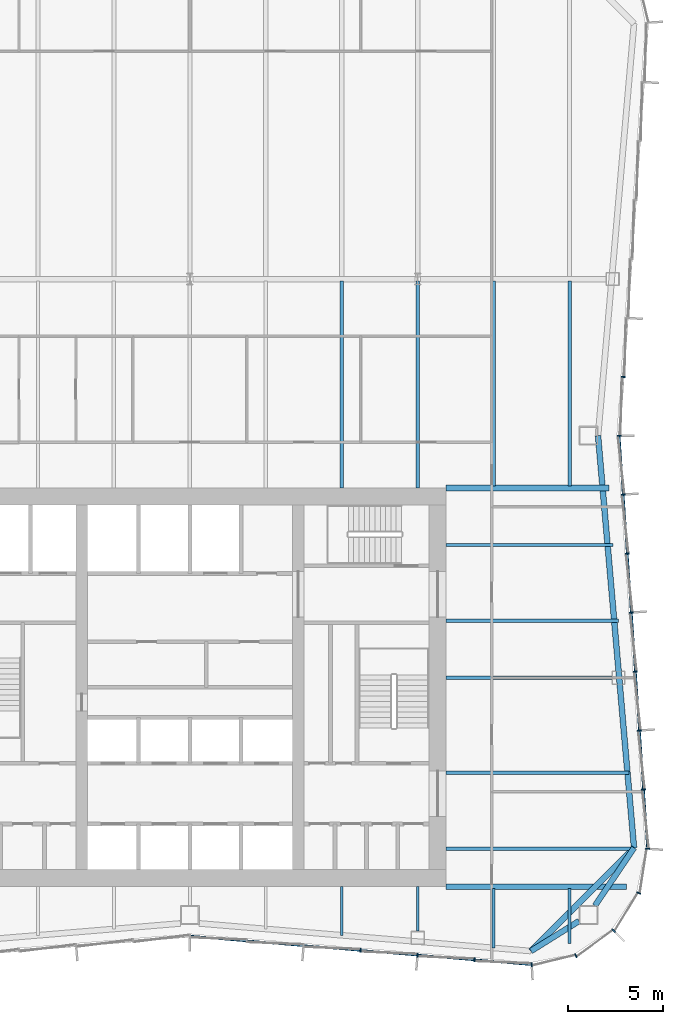
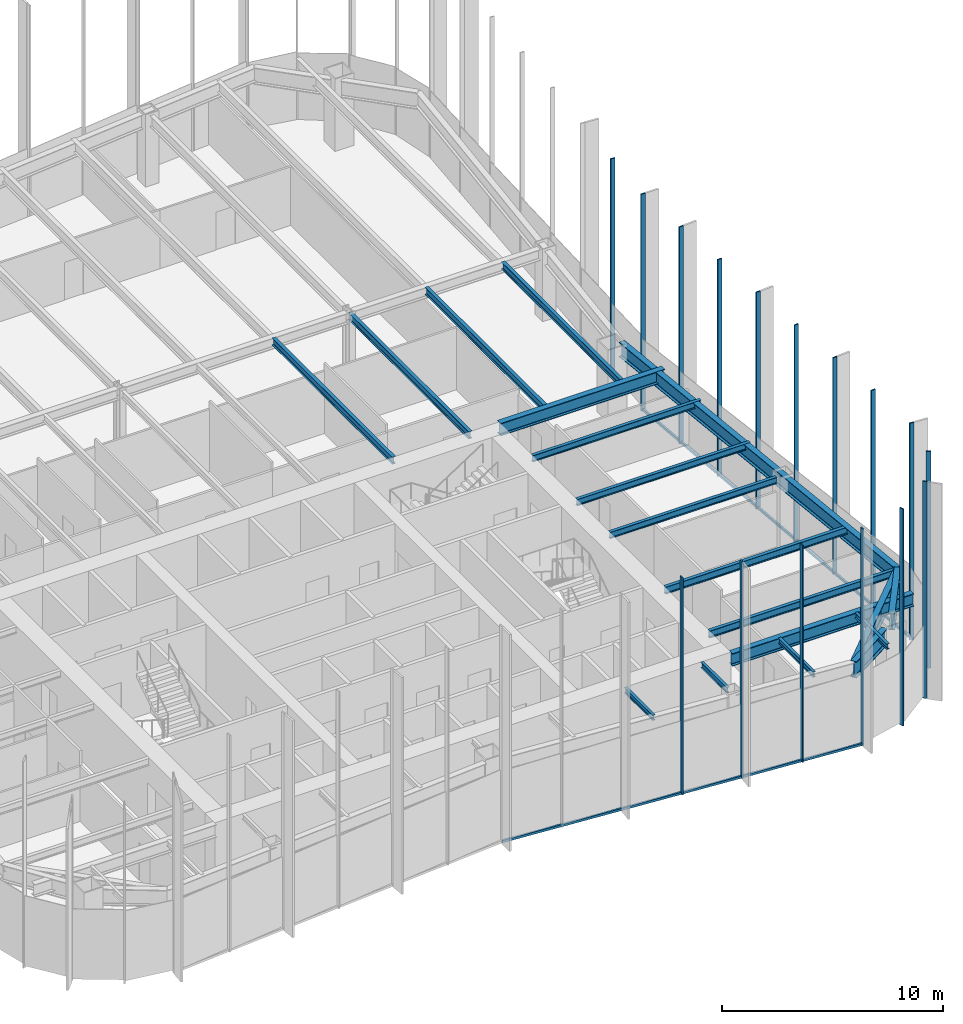
# One storey, part 4 of 13: 19 beams, 18 members, 3 elements without a shape of their own.
"""IFC4 building model written with IfcOpenShell, lengths in metres."""

from ifc_helpers import new_model, si_unit, direction, frame, origin, origin_2d, place, context, subcontext, project, spatial, rectangle, i_section, extrude, material, material_profile, profile_set, type_object, element, aggregate, save


model = new_model("IFC4")

# Units and contexts
model_context = context("Model", 3, precision=1e-05, world=origin(), true_north=direction((0.0, 1.0)))
body_context = subcontext(model_context, "Body", "Model", "MODEL_VIEW")
ifc_project = project(units=[si_unit("LENGTHUNIT", "METRE"), si_unit("AREAUNIT", "SQUARE_METRE"), si_unit("VOLUMEUNIT", "CUBIC_METRE"), si_unit("PLANEANGLEUNIT", "RADIAN"), si_unit("MASSUNIT", "GRAM", prefix="KILO")], contexts=[model_context])

# Site, building, storey
site_placement = place(None, origin())
site = spatial("IfcSite", under=ifc_project, at=site_placement, CompositionType="ELEMENT")
building_placement = place(site_placement, origin())
building = spatial("IfcBuilding", under=site, at=building_placement, Name="Verdant Reach Tower", CompositionType="ELEMENT")
storey_placement = place(building_placement, frame((0.0, 0.0, 194.0)))
storey = spatial("IfcBuildingStorey", under=building, at=storey_placement, Name="L44", CompositionType="ELEMENT", Elevation=194.0)

# Curtain wall, members
ifc_material_1 = material(Name="Anodised aluminium", Category="aluminium")
curtain_wall_type = type_object("IfcCurtainWallType", Name="EN-CW SYSTEM Z3", PredefinedType="NOTDEFINED", material=ifc_material_1)
curtain_wall_1_placement = place(storey_placement, origin())
curtain_wall_1 = element("IfcCurtainWall", 1, at=curtain_wall_1_placement, inside=storey, type_object=curtain_wall_type, Name="Curtain wall south-east corner, L44", PredefinedType="NOTDEFINED")
ifc_material_profile_1 = material_profile(ifc_material_1, rectangle(XDim=0.218017578125, YDim=0.06591796875, at=origin_2d()), Name="Mullion 66x218")
ifc_profile_set_1 = profile_set([ifc_material_profile_1], Name="Anodised aluminium")
member_type_1 = type_object("IfcMemberType", Name="EN-MULLION Z3", PredefinedType="MULLION", material=ifc_profile_set_1)
member_1_placement = place(storey_placement, frame((18.006103515625, 13.39111328125, -0.35009765625), z_axis=(0.0, 0.0, 1.0), x_axis=(0.056569187765, -0.998398681387, 0.0)))
member_1 = element("IfcMember", 2, at=member_1_placement, type_object=member_type_1, Name="Mullion south-east corner 1, L44", PredefinedType="MULLION", context=body_context, shape_type="SweptSolid", body=[
    extrude(rectangle(XDim=0.218017578125, YDim=0.06591796875, at=origin_2d()), origin(), (0.0, 0.0, 1.0), 12.0),
])
member_2_placement = place(storey_placement, frame((20.337890625, 13.85595703125, -0.35009765625), z_axis=(0.0, 0.0, 1.0), x_axis=(0.382693853776, -0.923875215753, 0.0)))
member_2 = element("IfcMember", 3, at=member_2_placement, type_object=member_type_1, Name="Mullion south-east corner 2, L44", PredefinedType="MULLION", context=body_context, shape_type="SweptSolid", body=[
    extrude(rectangle(XDim=0.218017578125, YDim=0.06591796875, at=origin_2d()), origin(), (0.0, 0.0, 1.0), 12.0),
])
member_3_placement = place(storey_placement, frame((22.319580078125, 15.180419921875, -0.35009765625), z_axis=(0.0, 0.0, 1.0), x_axis=(0.707106781187, -0.707106781187, 0.0)))
member_3 = element("IfcMember", 4, at=member_3_placement, type_object=member_type_1, Name="Mullion south-east corner 3, L44", PredefinedType="MULLION", context=body_context, shape_type="SweptSolid", body=[
    extrude(rectangle(XDim=0.218017578125, YDim=0.06591796875, at=origin_2d()), origin(), (0.0, 0.0, 1.0), 12.0),
])
member_4_placement = place(storey_placement, frame((23.64404296875, 17.162109375, -0.35009765625), z_axis=(0.0, 0.0, 1.0), x_axis=(0.923875215753, -0.382693853776, 0.0)))
member_4 = element("IfcMember", 5, at=member_4_placement, type_object=member_type_1, Name="Mullion south-east corner 4, L44", PredefinedType="MULLION", context=body_context, shape_type="SweptSolid", body=[
    extrude(rectangle(XDim=0.218017578125, YDim=0.06591796875, at=origin_2d()), origin(), (0.0, 0.0, 1.0), 12.0),
])
aggregate(curtain_wall_1, [member_1, member_2, member_3, member_4])

curtain_wall_2_placement = place(storey_placement, origin())
curtain_wall_2 = element("IfcCurtainWall", 6, at=curtain_wall_2_placement, inside=storey, type_object=curtain_wall_type, Name="Curtain wall east, L44", PredefinedType="NOTDEFINED")
member_5_placement = place(storey_placement, frame((24.10888671875, 19.4931640625, -0.35009765625), z_axis=(0.0, 0.0, 1.0), x_axis=(0.997969180898, -0.063698618332, 0.0)))
member_5 = element("IfcMember", 7, at=member_5_placement, type_object=member_type_1, Name="Mullion east face part 1 1, L44", PredefinedType="MULLION", context=body_context, shape_type="SweptSolid", body=[
    extrude(rectangle(XDim=0.218017578125, YDim=0.06591796875, at=origin_2d()), origin(), (0.0, 0.0, 1.0), 12.0),
])
member_6_placement = place(storey_placement, frame((23.89453125, 22.61474609375, -0.35009765625), z_axis=(0.0, 0.0, 1.0), x_axis=(0.997630328423, 0.068802091615, 0.0)))
member_6 = element("IfcMember", 8, at=member_6_placement, type_object=member_type_1, Name="Mullion east face part 1 2, L44", PredefinedType="MULLION", context=body_context, shape_type="SweptSolid", body=[
    extrude(rectangle(XDim=0.218017578125, YDim=0.06591796875, at=origin_2d()), origin(), (0.0, 0.0, 1.0), 12.0),
])
member_7_placement = place(storey_placement, frame((23.68017578125, 25.7216796875, -0.35009765625), z_axis=(0.0, 0.0, 1.0), x_axis=(0.997630328423, 0.068802091615, 0.0)))
member_7 = element("IfcMember", 9, at=member_7_placement, type_object=member_type_1, Name="Mullion east face part 1 3, L44", PredefinedType="MULLION", context=body_context, shape_type="SweptSolid", body=[
    extrude(rectangle(XDim=0.218017578125, YDim=0.06591796875, at=origin_2d()), origin(), (0.0, 0.0, 1.0), 12.0),
])
member_8_placement = place(storey_placement, frame((23.4658203125, 28.828857421875, -0.35009765625), z_axis=(0.0, 0.0, 1.0), x_axis=(0.997630328423, 0.068802091615, 0.0)))
member_8 = element("IfcMember", 10, at=member_8_placement, type_object=member_type_1, Name="Mullion east face part 1 4, L44", PredefinedType="MULLION", context=body_context, shape_type="SweptSolid", body=[
    extrude(rectangle(XDim=0.218017578125, YDim=0.06591796875, at=origin_2d()), origin(), (0.0, 0.0, 1.0), 12.0),
])
member_9_placement = place(storey_placement, frame((23.251708984375, 31.93603515625, -0.35009765625), z_axis=(0.0, 0.0, 1.0), x_axis=(0.997630328423, 0.068802091615, 0.0)))
member_9 = element("IfcMember", 11, at=member_9_placement, type_object=member_type_1, Name="Mullion east face part 1 5, L44", PredefinedType="MULLION", context=body_context, shape_type="SweptSolid", body=[
    extrude(rectangle(XDim=0.218017578125, YDim=0.06591796875, at=origin_2d()), origin(), (0.0, 0.0, 1.0), 12.0),
])
member_10_placement = place(storey_placement, frame((23.037353515625, 35.043212890625, -0.35009765625), z_axis=(0.0, 0.0, 1.0), x_axis=(0.997630328423, 0.068802091615, 0.0)))
member_10 = element("IfcMember", 12, at=member_10_placement, type_object=member_type_1, Name="Mullion east face part 1 6, L44", PredefinedType="MULLION", context=body_context, shape_type="SweptSolid", body=[
    extrude(rectangle(XDim=0.218017578125, YDim=0.06591796875, at=origin_2d()), origin(), (0.0, 0.0, 1.0), 12.0),
])
member_11_placement = place(storey_placement, frame((22.822998046875, 38.150390625, -0.35009765625), z_axis=(0.0, 0.0, 1.0), x_axis=(0.997630328423, 0.068802091615, 0.0)))
member_11 = element("IfcMember", 13, at=member_11_placement, type_object=member_type_1, Name="Mullion east face part 1 7, L44", PredefinedType="MULLION", context=body_context, shape_type="SweptSolid", body=[
    extrude(rectangle(XDim=0.218017578125, YDim=0.06591796875, at=origin_2d()), origin(), (0.0, 0.0, 1.0), 12.0),
])
member_12_placement = place(storey_placement, frame((22.60888671875, 41.25, -0.35009765625), z_axis=(0.0, 0.0, 1.0), x_axis=(1.0, 0.0, 0.0)))
member_12 = element("IfcMember", 14, at=member_12_placement, type_object=member_type_1, Name="Mullion east face part 2 1, L44", PredefinedType="MULLION", context=body_context, shape_type="SweptSolid", body=[
    extrude(rectangle(XDim=0.218017578125, YDim=0.06591796875, at=origin_2d()), origin(), (0.0, 0.0, 1.0), 12.0),
])
member_13_placement = place(storey_placement, frame((22.822998046875, 44.349609375, -0.35009765625), z_axis=(0.0, 0.0, 1.0), x_axis=(0.997630328423, -0.068802091615, 0.0)))
member_13 = element("IfcMember", 15, at=member_13_placement, type_object=member_type_1, Name="Mullion east face part 2 2, L44", PredefinedType="MULLION", context=body_context, shape_type="SweptSolid", body=[
    extrude(rectangle(XDim=0.218017578125, YDim=0.06591796875, at=origin_2d()), origin(), (0.0, 0.0, 1.0), 12.0),
])

curtain_wall_3_placement = place(storey_placement, origin())
curtain_wall_3 = element("IfcCurtainWall", 16, at=curtain_wall_3_placement, inside=storey, type_object=curtain_wall_type, Name="Curtain wall south, L44", PredefinedType="NOTDEFINED")
member_14_placement = place(storey_placement, frame((8.990966796875, 14.141357421875, -0.35009765625), z_axis=(0.0, 0.0, 1.0), x_axis=(-0.083045479859, -0.996545758244, 0.0)))
member_14 = element("IfcMember", 17, at=member_14_placement, type_object=member_type_1, Name="Mullion south face part 2 4, L44", PredefinedType="MULLION", context=body_context, shape_type="SweptSolid", body=[
    extrude(rectangle(XDim=0.218017578125, YDim=0.06591796875, at=origin_2d()), origin(), (0.0, 0.0, 1.0), 12.0),
])
member_15_placement = place(storey_placement, frame((11.990966796875, 13.891357421875, -0.35009765625), z_axis=(0.0, 0.0, 1.0), x_axis=(-0.083045479859, -0.996545758244, 0.0)))
member_15 = element("IfcMember", 18, at=member_15_placement, type_object=member_type_1, Name="Mullion south face part 2 5, L44", PredefinedType="MULLION", context=body_context, shape_type="SweptSolid", body=[
    extrude(rectangle(XDim=0.218017578125, YDim=0.06591796875, at=origin_2d()), origin(), (0.0, 0.0, 1.0), 12.0),
])
member_16_placement = place(storey_placement, frame((14.990966796875, 13.641357421875, -0.35009765625), z_axis=(0.0, 0.0, 1.0), x_axis=(-0.083045479859, -0.996545758244, 0.0)))
member_16 = element("IfcMember", 19, at=member_16_placement, type_object=member_type_1, Name="Mullion south face part 2 6, L44", PredefinedType="MULLION", context=body_context, shape_type="SweptSolid", body=[
    extrude(rectangle(XDim=0.218017578125, YDim=0.06591796875, at=origin_2d()), origin(), (0.0, 0.0, 1.0), 12.0),
])

# Member
ifc_material_profile_2 = material_profile(ifc_material_1, rectangle(XDim=0.10009765625, YDim=0.1259765625, at=origin_2d()), Name="Transom 126x100")
ifc_profile_set_2 = profile_set([ifc_material_profile_2], Name="Anodised aluminium")
member_type_2 = type_object("IfcMemberType", Name="EN-TRANSOM Z3", PredefinedType="USERDEFINED", material=ifc_profile_set_2)
member_17_placement = place(storey_placement, frame((24.1064453125, 19.52587890625, -0.287109375), z_axis=(-0.068764326054, 0.997632932226, 0.0), x_axis=(-0.997632932226, -0.068764326054, 0.0)))
member_17 = element("IfcMember", 20, at=member_17_placement, type_object=member_type_2, Name="Transom east face part 1 1.1, L44", ObjectType="TRANSOM", PredefinedType="USERDEFINED", context=body_context, shape_type="SweptSolid", body=[
    extrude(rectangle(XDim=0.10009765625, YDim=0.1259765625, at=origin_2d()), origin(), (0.0, 0.0, 1.0), 21.74267578125),
])

aggregate(curtain_wall_2, [member_5, member_6, member_7, member_8, member_9, member_10, member_11, member_17, member_12, member_13])

member_18_placement = place(storey_placement, frame((0.032958984375, 14.88818359375, -0.287109375), z_axis=(0.996548750467, -0.083009565369, 0.0), x_axis=(0.083009565369, 0.996548750467, 0.0)))
member_18 = element("IfcMember", 21, at=member_18_placement, type_object=member_type_2, Name="Transom south face part 2 1.1, L44", ObjectType="TRANSOM", PredefinedType="USERDEFINED", context=body_context, shape_type="SweptSolid", body=[
    extrude(rectangle(XDim=0.10009765625, YDim=0.1259765625, at=origin_2d()), origin(), (0.0, 0.0, 1.0), 18.00244140625),
])

aggregate(curtain_wall_3, [member_14, member_15, member_16, member_18])

# Beams
ifc_material_2 = material(Name="Steel S355", Category="steel")
ifc_material_profile_3 = material_profile(ifc_material_2, i_section(OverallWidth=0.300048828125, OverallDepth=0.699951171875, WebThickness=0.01708984375, FlangeThickness=0.031982421875, FilletRadius=0.027099609375, at=origin_2d()), Name="HEB 700")
ifc_profile_set_3 = profile_set([ifc_material_profile_3], Name="Steel S355")
beam_type_1 = type_object("IfcBeamType", Name="ST-BEAM-HEB700", PredefinedType="BEAM", material=ifc_profile_set_3)
beam_1_placement = place(storey_placement, frame((13.5, 38.5, 3.52001953125), z_axis=(1.0, 0.0, 0.0), x_axis=(0.0, 1.0, 0.0)))
element("IfcBeam", 22, at=beam_1_placement, inside=storey, type_object=beam_type_1, Name="Trimmer beam, L44", PredefinedType="BEAM", context=body_context, shape_type="SweptSolid", body=[
    extrude(i_section(OverallWidth=0.300048828125, OverallDepth=0.699951171875, WebThickness=0.01708984375, FlangeThickness=0.031982421875, FilletRadius=0.027099609375, at=origin_2d()), origin(), (0.0, 0.0, 1.0), 8.588134765625),
])
beam_2_placement = place(storey_placement, frame((13.5, 17.5, 3.52001953125), z_axis=(1.0, 0.0, 0.0), x_axis=(0.0, 1.0, 0.0)))
element("IfcBeam", 23, at=beam_2_placement, inside=storey, type_object=beam_type_1, Name="Trimmer beam, L44", PredefinedType="BEAM", context=body_context, shape_type="SweptSolid", body=[
    extrude(i_section(OverallWidth=0.300048828125, OverallDepth=0.699951171875, WebThickness=0.01708984375, FlangeThickness=0.031982421875, FilletRadius=0.027099609375, at=origin_2d()), origin(), (0.0, 0.0, 1.0), 9.490478515625),
])
ifc_material_profile_4 = material_profile(ifc_material_2, i_section(OverallWidth=0.302001953125, OverallDepth=0.909912109375, WebThickness=0.02099609375, FlangeThickness=0.0400390625, FilletRadius=0.030029296875, at=origin_2d()), Name="HEM 900")
ifc_profile_set_4 = profile_set([ifc_material_profile_4], Name="Steel S355")
beam_type_2 = type_object("IfcBeamType", Name="ST-BEAM-HEM900", PredefinedType="BEAM", material=ifc_profile_set_4)
beam_3_placement = place(storey_placement, frame((20.5, 15.687744140625, 3.4150390625), z_axis=(-0.848163521635, -0.529734500073, 0.0), x_axis=(0.529734500073, -0.848163521635, 0.0)))
element("IfcBeam", 24, at=beam_3_placement, inside=storey, type_object=beam_type_2, Name="Column stub beam, L44", PredefinedType="BEAM", context=body_context, shape_type="SweptSolid", body=[
    extrude(i_section(OverallWidth=0.302001953125, OverallDepth=0.909912109375, WebThickness=0.02099609375, FlangeThickness=0.0400390625, FilletRadius=0.030029296875, at=origin_2d()), origin(), (0.0, 0.0, 1.0), 2.98779296875),
])
beam_4_placement = place(storey_placement, frame((21.33837890625, 16.5, 3.4150390625), z_axis=(0.560703975309, 0.828016335631, 0.0), x_axis=(-0.828016335631, 0.560703975309, 0.0)))
element("IfcBeam", 25, at=beam_4_placement, inside=storey, type_object=beam_type_2, Name="Column stub beam, L44", PredefinedType="BEAM", context=body_context, shape_type="SweptSolid", body=[
    extrude(i_section(OverallWidth=0.302001953125, OverallDepth=0.909912109375, WebThickness=0.02099609375, FlangeThickness=0.0400390625, FilletRadius=0.030029296875, at=origin_2d()), origin(), (0.0, 0.0, 1.0), 3.669677734375),
])
ifc_material_profile_5 = material_profile(ifc_material_2, i_section(OverallWidth=0.14990234375, OverallDepth=0.300048828125, WebThickness=0.007080078125, FlangeThickness=0.0107421875, FilletRadius=0.014892578125, at=origin_2d()), Name="IPE 300")
ifc_profile_set_5 = profile_set([ifc_material_profile_5], Name="Steel S355")
beam_type_3 = type_object("IfcBeamType", Name="ST-JOIST-IPE300", PredefinedType="JOIST", material=ifc_profile_set_5)
beam_5_placement = place(storey_placement, frame((8.0, 17.5, 3.719970703125), z_axis=(0.0, -1.0, 0.0), x_axis=(1.0, 0.0, 0.0)))
element("IfcBeam", 26, at=beam_5_placement, inside=storey, type_object=beam_type_3, Name="Floor joist, L44", PredefinedType="JOIST", context=body_context, shape_type="SweptSolid", body=[
    extrude(i_section(OverallWidth=0.14990234375, OverallDepth=0.300048828125, WebThickness=0.007080078125, FlangeThickness=0.0107421875, FilletRadius=0.014892578125, at=origin_2d()), origin(), (0.0, 0.0, 1.0), 2.564697265625),
])
beam_6_placement = place(storey_placement, frame((12.0, 17.5, 3.719970703125), z_axis=(0.0, -1.0, 0.0), x_axis=(1.0, 0.0, 0.0)))
element("IfcBeam", 27, at=beam_6_placement, inside=storey, type_object=beam_type_3, Name="Floor joist, L44", PredefinedType="JOIST", context=body_context, shape_type="SweptSolid", body=[
    extrude(i_section(OverallWidth=0.14990234375, OverallDepth=0.300048828125, WebThickness=0.007080078125, FlangeThickness=0.0107421875, FilletRadius=0.014892578125, at=origin_2d()), origin(), (0.0, 0.0, 1.0), 2.35009765625),
])
beam_7_placement = place(storey_placement, frame((16.0, 17.39990234375, 3.719970703125), z_axis=(0.0, -1.0, 0.0), x_axis=(1.0, 0.0, 0.0)))
element("IfcBeam", 28, at=beam_7_placement, inside=storey, type_object=beam_type_3, Name="Floor joist, L44", PredefinedType="JOIST", context=body_context, shape_type="SweptSolid", body=[
    extrude(i_section(OverallWidth=0.14990234375, OverallDepth=0.300048828125, WebThickness=0.007080078125, FlangeThickness=0.0107421875, FilletRadius=0.014892578125, at=origin_2d()), origin(), (0.0, 0.0, 1.0), 3.131103515625),
])
beam_8_placement = place(storey_placement, frame((20.0, 17.39990234375, 3.719970703125), z_axis=(0.0, -1.0, 0.0), x_axis=(1.0, 0.0, 0.0)))
element("IfcBeam", 29, at=beam_8_placement, inside=storey, type_object=beam_type_3, Name="Floor joist, L44", PredefinedType="JOIST", context=body_context, shape_type="SweptSolid", body=[
    extrude(i_section(OverallWidth=0.14990234375, OverallDepth=0.300048828125, WebThickness=0.007080078125, FlangeThickness=0.0107421875, FilletRadius=0.014892578125, at=origin_2d()), origin(), (0.0, 0.0, 1.0), 2.890380859375),
])
ifc_material_profile_6 = material_profile(ifc_material_2, i_section(OverallWidth=0.169921875, OverallDepth=0.360107421875, WebThickness=0.008056640625, FlangeThickness=0.0126953125, FilletRadius=0.01806640625, at=origin_2d()), Name="IPE 360")
ifc_profile_set_6 = profile_set([ifc_material_profile_6], Name="Steel S355")
beam_type_4 = type_object("IfcBeamType", Name="ST-JOIST-IPE360", PredefinedType="JOIST", material=ifc_profile_set_6)
beam_9_placement = place(storey_placement, frame((13.5, 28.5, 3.68994140625), z_axis=(1.0, 0.0, 0.0), x_axis=(0.0, 1.0, 0.0)))
element("IfcBeam", 30, at=beam_9_placement, inside=storey, type_object=beam_type_4, Name="Floor joist, L44", PredefinedType="JOIST", context=body_context, shape_type="SweptSolid", body=[
    extrude(i_section(OverallWidth=0.169921875, OverallDepth=0.360107421875, WebThickness=0.008056640625, FlangeThickness=0.0126953125, FilletRadius=0.01806640625, at=origin_2d()), origin(), (0.0, 0.0, 1.0), 8.729248046875),
])
beam_10_placement = place(storey_placement, frame((13.5, 31.5, 3.68994140625), z_axis=(1.0, 0.0, 0.0), x_axis=(0.0, 1.0, 0.0)))
element("IfcBeam", 31, at=beam_10_placement, inside=storey, type_object=beam_type_4, Name="Floor joist, L44", PredefinedType="JOIST", context=body_context, shape_type="SweptSolid", body=[
    extrude(i_section(OverallWidth=0.169921875, OverallDepth=0.360107421875, WebThickness=0.008056640625, FlangeThickness=0.0126953125, FilletRadius=0.01806640625, at=origin_2d()), origin(), (0.0, 0.0, 1.0), 9.071044921875),
])
beam_11_placement = place(storey_placement, frame((13.5, 35.5, 3.68994140625), z_axis=(1.0, 0.0, 0.0), x_axis=(0.0, 1.0, 0.0)))
element("IfcBeam", 32, at=beam_11_placement, inside=storey, type_object=beam_type_4, Name="Floor joist, L44", PredefinedType="JOIST", context=body_context, shape_type="SweptSolid", body=[
    extrude(i_section(OverallWidth=0.169921875, OverallDepth=0.360107421875, WebThickness=0.008056640625, FlangeThickness=0.0126953125, FilletRadius=0.01806640625, at=origin_2d()), origin(), (0.0, 0.0, 1.0), 8.795166015625),
])
ifc_material_profile_7 = material_profile(ifc_material_2, i_section(OverallWidth=0.179931640625, OverallDepth=0.39990234375, WebThickness=0.008544921875, FlangeThickness=0.013427734375, FilletRadius=0.02099609375, at=origin_2d()), Name="IPE 400")
ifc_profile_set_7 = profile_set([ifc_material_profile_7], Name="Steel S355")
beam_type_5 = type_object("IfcBeamType", Name="ST-JOIST-IPE400", PredefinedType="JOIST", material=ifc_profile_set_7)
for number, where, z_axis, x_axis, name in (
    (33, (8.0, 38.5, 3.669921875), (0.0, 1.0, 0.0), (-1.0, 0.0, 0.0), "Floor joist, L44"),
    (34, (12.0, 38.5, 3.669921875), (0.0, 1.0, 0.0), (-1.0, 0.0, 0.0), "Floor joist, L44"),
):
    element("IfcBeam", number, at=place(storey_placement, frame(where, z_axis=z_axis, x_axis=x_axis)), inside=storey, type_object=beam_type_5, Name=name, PredefinedType="JOIST", context=body_context, shape_type="SweptSolid", body=[
        extrude(i_section(OverallWidth=0.179931640625, OverallDepth=0.39990234375, WebThickness=0.008544921875, FlangeThickness=0.013427734375, FilletRadius=0.02099609375, at=origin_2d()), origin(), (0.0, 0.0, 1.0), 10.89990234375),
    ])
for number, where, z_axis, x_axis, name in (
    (35, (16.0, 38.60009765625, 3.669921875), (0.0, 1.0, 0.0), (-1.0, 0.0, 0.0), "Floor joist, L44"),
    (36, (20.0, 38.60009765625, 3.669921875), (0.0, 1.0, 0.0), (-1.0, 0.0, 0.0), "Floor joist, L44"),
):
    element("IfcBeam", number, at=place(storey_placement, frame(where, z_axis=z_axis, x_axis=x_axis)), inside=storey, type_object=beam_type_5, Name=name, PredefinedType="JOIST", context=body_context, shape_type="SweptSolid", body=[
        extrude(i_section(OverallWidth=0.179931640625, OverallDepth=0.39990234375, WebThickness=0.008544921875, FlangeThickness=0.013427734375, FilletRadius=0.02099609375, at=origin_2d()), origin(), (0.0, 0.0, 1.0), 10.7998046875),
    ])
beam_12_placement = place(storey_placement, frame((13.5, 19.5, 3.669921875), z_axis=(1.0, 0.0, 0.0), x_axis=(0.0, 1.0, 0.0)))
element("IfcBeam", 37, at=beam_12_placement, inside=storey, type_object=beam_type_5, Name="Floor joist, L44", PredefinedType="JOIST", context=body_context, shape_type="SweptSolid", body=[
    extrude(i_section(OverallWidth=0.179931640625, OverallDepth=0.39990234375, WebThickness=0.008544921875, FlangeThickness=0.013427734375, FilletRadius=0.02099609375, at=origin_2d()), origin(), (0.0, 0.0, 1.0), 9.88818359375),
])
beam_13_placement = place(storey_placement, frame((13.5, 23.5, 3.669921875), z_axis=(1.0, 0.0, 0.0), x_axis=(0.0, 1.0, 0.0)))
element("IfcBeam", 38, at=beam_13_placement, inside=storey, type_object=beam_type_5, Name="Floor joist, L44", PredefinedType="JOIST", context=body_context, shape_type="SweptSolid", body=[
    extrude(i_section(OverallWidth=0.179931640625, OverallDepth=0.39990234375, WebThickness=0.008544921875, FlangeThickness=0.013427734375, FilletRadius=0.02099609375, at=origin_2d()), origin(), (0.0, 0.0, 1.0), 9.622802734375),
])
ifc_material_profile_8 = material_profile(ifc_material_2, i_section(OverallWidth=0.300048828125, OverallDepth=0.800048828125, WebThickness=0.017578125, FlangeThickness=0.032958984375, FilletRadius=0.030029296875, at=origin_2d()), Name="HEB 800")
ifc_profile_set_8 = profile_set([ifc_material_profile_8], Name="Steel S355")
beam_type_6 = type_object("IfcBeamType", Name="ST-SPANDREL-HEB800", PredefinedType="SPANDREL", material=ifc_profile_set_8)
beam_14_placement = place(storey_placement, frame((21.5, 41.25, 3.469970703125), z_axis=(0.086996024331, -0.996208658741, 0.0), x_axis=(0.996208658741, 0.086996024331, 0.0)))
element("IfcBeam", 39, at=beam_14_placement, inside=storey, type_object=beam_type_6, Name="Edge beam, L44", PredefinedType="SPANDREL", context=body_context, shape_type="SweptSolid", body=[
    extrude(i_section(OverallWidth=0.300048828125, OverallDepth=0.800048828125, WebThickness=0.017578125, FlangeThickness=0.032958984375, FilletRadius=0.030029296875, at=origin_2d()), origin(), (0.0, 0.0, 1.0), 21.7939453125),
])
ifc_material_profile_9 = material_profile(ifc_material_2, i_section(OverallWidth=0.302001953125, OverallDepth=0.909912109375, WebThickness=0.02099609375, FlangeThickness=0.0400390625, FilletRadius=0.030029296875, at=origin_2d()), Name="HEM 900")
ifc_profile_set_9 = profile_set([ifc_material_profile_9], Name="Steel S355")
beam_type_7 = type_object("IfcBeamType", Name="ST-SPANDREL-HEM900", PredefinedType="SPANDREL", material=ifc_profile_set_9)
beam_15_placement = place(storey_placement, frame((23.39599609375, 19.53857421875, 3.4150390625), z_axis=(-0.706884275642, -0.707329216738, 0.0), x_axis=(0.707329216738, -0.706884275642, 0.0)))
element("IfcBeam", 40, at=beam_15_placement, inside=storey, type_object=beam_type_7, Name="Edge beam, L44", PredefinedType="SPANDREL", context=body_context, shape_type="SweptSolid", body=[
    extrude(i_section(OverallWidth=0.302001953125, OverallDepth=0.909912109375, WebThickness=0.02099609375, FlangeThickness=0.0400390625, FilletRadius=0.030029296875, at=origin_2d()), origin(), (0.0, 0.0, 1.0), 7.681884765625),
])

save(model, "model.ifc")
